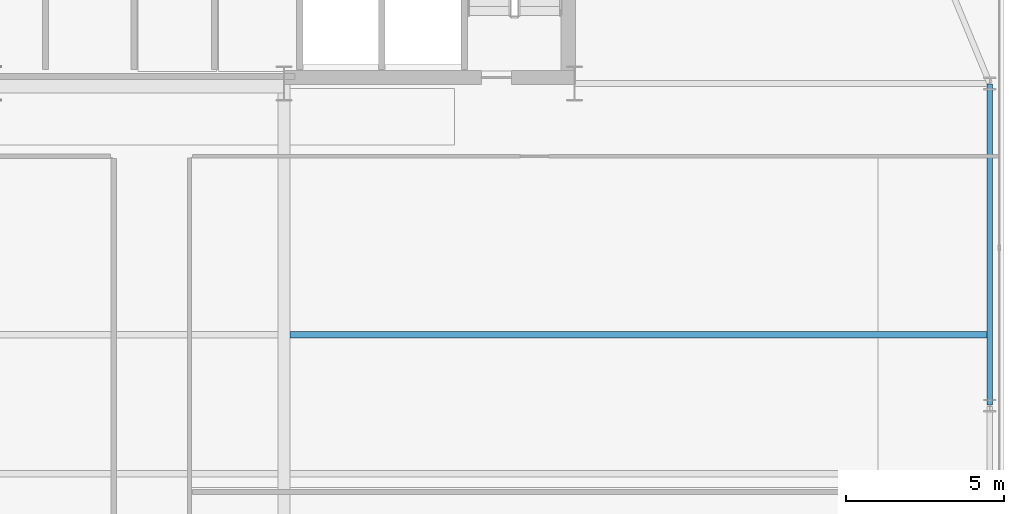
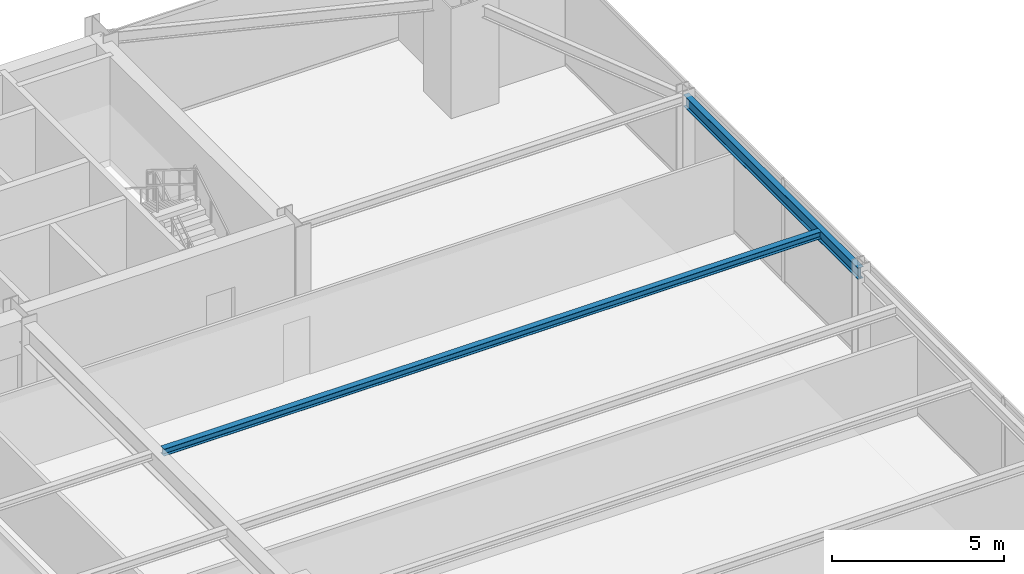
# One storey, part 19 of 30: 2 beams.
"""IFC4 building model written with IfcOpenShell, lengths in metres."""

from ifc_helpers import new_model, si_unit, direction, frame, origin, origin_2d, place, context, subcontext, project, spatial, i_section, extrude, source, transform, mapped, material, material_profile, profile_set, type_object, type_shapes, element, save


model = new_model("IFC4")

# Units and contexts
model_context = context("Model", 3, precision=1e-05, world=origin(), true_north=direction((0.0, 1.0)))
body_context = subcontext(model_context, "Body", "Model", "MODEL_VIEW")
ifc_project = project(units=[si_unit("LENGTHUNIT", "METRE"), si_unit("AREAUNIT", "SQUARE_METRE"), si_unit("VOLUMEUNIT", "CUBIC_METRE"), si_unit("PLANEANGLEUNIT", "RADIAN"), si_unit("MASSUNIT", "GRAM", prefix="KILO")], contexts=[model_context])

# Site, building, storey
site_placement = place(None, origin())
site = spatial("IfcSite", under=ifc_project, at=site_placement, CompositionType="ELEMENT")
building_placement = place(site_placement, origin())
building = spatial("IfcBuilding", under=site, at=building_placement, Name="Varnel Quay Broadcast Tower", CompositionType="ELEMENT")
storey_placement = place(building_placement, frame((0.0, 0.0, 62.699951171875)))
storey = spatial("IfcBuildingStorey", under=building, at=storey_placement, Name="L14", CompositionType="ELEMENT", Elevation=62.699951171875)

# Beams
ifc_material = material(Name="Structural Steel CSA G40.21 350W", Category="steel")
ifc_material_profile_1 = material_profile(ifc_material, i_section(OverallWidth=0.180908203125, OverallDepth=0.4169921875, WebThickness=0.010986328125, FlangeThickness=0.018310546875, FilletRadius=0.011962890625, at=origin_2d()), Name="W410X85")
ifc_profile_set_1 = profile_set([ifc_material_profile_1], Name="Structural Steel CSA G40.21 350W")
beam_type_1 = type_object("IfcBeamType", Name="Beam_W410X85", PredefinedType="SPANDREL", material=ifc_profile_set_1)
shared_shape_1 = source(origin(), body_context, "Body", "SweptSolid", [
    extrude(i_section(OverallWidth=0.180908203125, OverallDepth=0.4169921875, WebThickness=0.010986328125, FlangeThickness=0.018310546875, FilletRadius=0.011962890625, at=origin_2d()), origin(), (0.0, 0.0, 1.0), 10.16015625),
])
type_shapes(beam_type_1, [shared_shape_1])
beam_1_placement = place(storey_placement, frame((65.550048828125, 25.419921875, 3.441650390625), z_axis=(0.0, 1.0, 0.0), x_axis=(-1.0, 0.0, 0.0)))
element("IfcBeam", 1, at=beam_1_placement, inside=storey, type_object=beam_type_1, Name="L14 East Spandrel TC-E2-TC-E3", PredefinedType="SPANDREL", context=body_context, shape_type="MappedRepresentation", body=[
    mapped(shared_shape_1, transform((0.0, 0.0, 0.0), x_axis=(1.0, 0.0, 0.0), y_axis=(0.0, 1.0, 0.0), z_axis=(0.0, 0.0, 1.0), scale=1.0)),
])
ifc_material_profile_2 = material_profile(ifc_material, i_section(OverallWidth=0.201904296875, OverallDepth=0.2470703125, WebThickness=0.00732421875, FlangeThickness=0.010986328125, FilletRadius=0.010986328125, at=origin_2d()), Name="W250X49")
ifc_profile_set_2 = profile_set([ifc_material_profile_2], Name="Structural Steel CSA G40.21 350W")
beam_type_2 = type_object("IfcBeamType", Name="Beam_W250X49", PredefinedType="JOIST", material=ifc_profile_set_2)
shared_shape_2 = source(origin(), body_context, "Body", "SweptSolid", [
    extrude(i_section(OverallWidth=0.201904296875, OverallDepth=0.2470703125, WebThickness=0.00732421875, FlangeThickness=0.010986328125, FilletRadius=0.010986328125, at=origin_2d()), origin(), (0.0, 0.0, 1.0), 22.0791015625),
])
type_shapes(beam_type_2, [shared_shape_2])
beam_2_placement = place(storey_placement, frame((43.385498046875, 27.64990234375, 3.526611328125), z_axis=(1.0, 0.0, 0.0), x_axis=(0.0, 1.0, 0.0)))
element("IfcBeam", 2, at=beam_2_placement, inside=storey, type_object=beam_type_2, Name="L14 East Floor Joist 6", PredefinedType="JOIST", context=body_context, shape_type="MappedRepresentation", body=[
    mapped(shared_shape_2, transform((0.0, 0.0, 0.0), x_axis=(1.0, 0.0, 0.0), y_axis=(0.0, 1.0, 0.0), z_axis=(0.0, 0.0, 1.0), scale=1.0)),
])

save(model, "model.ifc")
